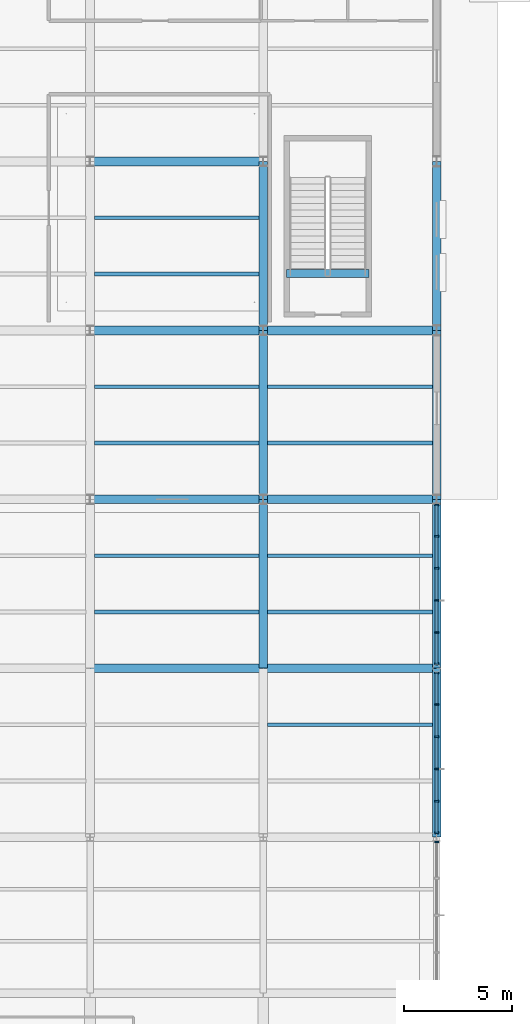
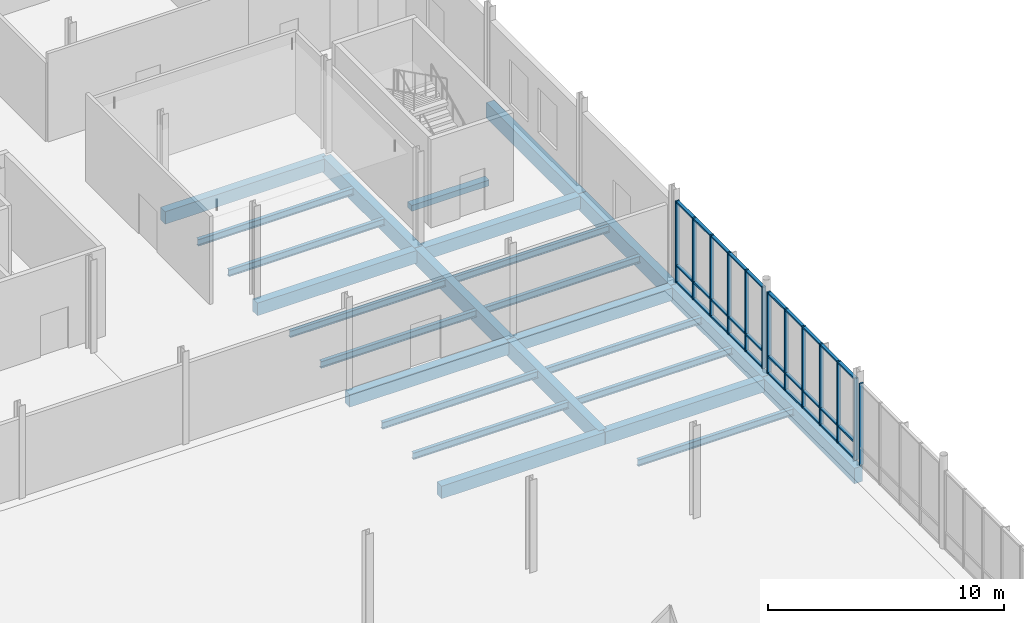
# One storey, part 27 of 82: 43 members, 26 beams, 3 elements without a shape of their own.
"""IFC4 building model written with IfcOpenShell, lengths in metres."""

from ifc_helpers import new_model, si_unit, direction, frame, origin, origin_2d, place, context, subcontext, project, spatial, rectangle, i_section, extrude, material, layer, layer_set, material_profile, profile_set, type_object, element, aggregate, save


model = new_model("IFC4")

# Units and contexts
model_context = context("Model", 3, precision=1e-05, world=origin(), true_north=direction((0.0, 1.0)))
body_context = subcontext(model_context, "Body", "Model", "MODEL_VIEW")
ifc_project = project(units=[si_unit("LENGTHUNIT", "METRE"), si_unit("AREAUNIT", "SQUARE_METRE"), si_unit("VOLUMEUNIT", "CUBIC_METRE"), si_unit("PLANEANGLEUNIT", "RADIAN"), si_unit("MASSUNIT", "GRAM", prefix="KILO")], contexts=[model_context])

# Site, building, storey
site_placement = place(None, origin())
site = spatial("IfcSite", under=ifc_project, at=site_placement, CompositionType="ELEMENT")
building_placement = place(site_placement, origin())
building = spatial("IfcBuilding", under=site, at=building_placement, Name="Yukiwa Park Conservatory and Herbarium", CompositionType="ELEMENT")
storey_placement = place(building_placement, origin())
storey = spatial("IfcBuildingStorey", under=building, at=storey_placement, Name="L00", CompositionType="ELEMENT", Elevation=0.0)

# Beams
ifc_material_1 = material(Name="Steel Q355D", Category="steel")
ifc_material_profile_1 = material_profile(ifc_material_1, i_section(OverallWidth=0.174072265625, OverallDepth=0.345947265625, WebThickness=0.006103515625, FlangeThickness=0.009033203125, FilletRadius=0.013916015625, at=origin_2d()), Name="HN 346x174x6x9")
ifc_profile_set_1 = profile_set([ifc_material_profile_1], Name="Steel Q355D")
beam_type_1 = type_object("IfcBeamType", Name="BM-JST-HN346", PredefinedType="JOIST", material=ifc_profile_set_1)
for number, where, z_axis, x_axis, name in (
    (1, (92.196044921875, 41.60009765625, -0.43310546875), (1.0, 0.0, 0.0), (0.0, 1.0, 0.0), "L00 composite floor joist 157"),
    (2, (92.196044921875, 44.199951171875, -0.43310546875), (1.0, 0.0, 0.0), (0.0, 1.0, 0.0), "L00 composite floor joist 158"),
    (3, (92.196044921875, 49.39990234375, -0.43310546875), (1.0, 0.0, 0.0), (0.0, 1.0, 0.0), "L00 composite floor joist 159"),
    (4, (92.196044921875, 52.0, -0.43310546875), (1.0, 0.0, 0.0), (0.0, 1.0, 0.0), "L00 composite floor joist 160"),
    (5, (92.196044921875, 57.199951171875, -0.43310546875), (1.0, 0.0, 0.0), (0.0, 1.0, 0.0), "L00 composite floor joist 161"),
    (6, (92.196044921875, 59.800048828125, -0.43310546875), (1.0, 0.0, 0.0), (0.0, 1.0, 0.0), "L00 composite floor joist 162"),
    (7, (100.196044921875, 36.39990234375, -0.43310546875), (1.0, 0.0, 0.0), (0.0, 1.0, 0.0), "L00 composite floor joist 172"),
    (8, (100.196044921875, 41.60009765625, -0.43310546875), (1.0, 0.0, 0.0), (0.0, 1.0, 0.0), "L00 composite floor joist 173"),
    (9, (100.196044921875, 44.199951171875, -0.43310546875), (1.0, 0.0, 0.0), (0.0, 1.0, 0.0), "L00 composite floor joist 174"),
    (10, (100.196044921875, 49.39990234375, -0.43310546875), (1.0, 0.0, 0.0), (0.0, 1.0, 0.0), "L00 composite floor joist 175"),
    (11, (100.196044921875, 52.0, -0.43310546875), (1.0, 0.0, 0.0), (0.0, 1.0, 0.0), "L00 composite floor joist 176"),
):
    element("IfcBeam", number, at=place(storey_placement, frame(where, z_axis=z_axis, x_axis=x_axis)), inside=storey, type_object=beam_type_1, Name=name, PredefinedType="JOIST", context=body_context, shape_type="SweptSolid", body=[
        extrude(i_section(OverallWidth=0.174072265625, OverallDepth=0.345947265625, WebThickness=0.006103515625, FlangeThickness=0.009033203125, FilletRadius=0.013916015625, at=origin_2d()), origin(), (0.0, 0.0, 1.0), 7.60791015625),
    ])
ifc_material_2 = material(Name="Concrete C40", Category="concrete")
ifc_material_profile_2 = material_profile(ifc_material_2, rectangle(XDim=0.39990234375, YDim=0.64990234375, at=origin_2d()), Name="RC 400x650")
ifc_profile_set_2 = profile_set([ifc_material_profile_2], Name="Concrete C40")
beam_type_2 = type_object("IfcBeamType", Name="BM-RC-400X650", PredefinedType="BEAM", material=ifc_profile_set_2)
for number, where, z_axis, x_axis, name in (
    (12, (92.006103515625, 39.0, -0.5849609375), (1.0, 0.0, 0.0), (0.0, 1.0, 0.0), "L00 grid beam X-62"),
    (13, (100.006103515625, 39.0, -0.5849609375), (1.0, 0.0, 0.0), (0.0, 1.0, 0.0), "L00 grid beam X-63"),
    (14, (92.006103515625, 46.800048828125, -0.5849609375), (1.0, 0.0, 0.0), (0.0, 1.0, 0.0), "L00 grid beam X-68"),
    (15, (100.006103515625, 46.800048828125, -0.5849609375), (1.0, 0.0, 0.0), (0.0, 1.0, 0.0), "L00 grid beam X-69"),
    (16, (92.006103515625, 54.60009765625, -0.5849609375), (1.0, 0.0, 0.0), (0.0, 1.0, 0.0), "L00 grid beam X-74"),
    (17, (100.006103515625, 54.60009765625, -0.5849609375), (1.0, 0.0, 0.0), (0.0, 1.0, 0.0), "L00 grid beam X-75"),
    (18, (92.006103515625, 62.39990234375, -0.5849609375), (1.0, 0.0, 0.0), (0.0, 1.0, 0.0), "L00 grid beam X-79"),
):
    element("IfcBeam", number, at=place(storey_placement, frame(where, z_axis=z_axis, x_axis=x_axis)), inside=storey, type_object=beam_type_2, Name=name, PredefinedType="BEAM", context=body_context, shape_type="SweptSolid", body=[
        extrude(rectangle(XDim=0.39990234375, YDim=0.64990234375, at=origin_2d()), origin(), (0.0, 0.0, 1.0), 7.98779296875),
    ])
ifc_material_3 = material(Name="Concrete C40", Category="concrete")
ifc_material_profile_3 = material_profile(ifc_material_3, rectangle(XDim=0.39990234375, YDim=0.800048828125, at=origin_2d()), Name="RC 400x800")
ifc_profile_set_3 = profile_set([ifc_material_profile_3], Name="Concrete C40")
beam_type_3 = type_object("IfcBeamType", Name="BM-RC-400X800", PredefinedType="BEAM", material=ifc_profile_set_3)
beam_1_placement = place(storey_placement, frame((100.0, 39.006103515625, -0.659912109375), z_axis=(0.0, 1.0, 0.0), x_axis=(-1.0, 0.0, 0.0)))
element("IfcBeam", 19, at=beam_1_placement, inside=storey, type_object=beam_type_3, Name="L00 grid girder Y-258", PredefinedType="BEAM", context=body_context, shape_type="SweptSolid", body=[
    extrude(rectangle(XDim=0.39990234375, YDim=0.800048828125, at=origin_2d()), origin(), (0.0, 0.0, 1.0), 7.787841796875),
])
for number, where, z_axis, x_axis, name in (
    (20, (100.0, 46.805908203125, -0.659912109375), (0.0, 1.0, 0.0), (-1.0, 0.0, 0.0), "L00 grid girder Y-259"),
    (21, (100.0, 54.60595703125, -0.659912109375), (0.0, 1.0, 0.0), (-1.0, 0.0, 0.0), "L00 grid girder Y-260"),
):
    element("IfcBeam", number, at=place(storey_placement, frame(where, z_axis=z_axis, x_axis=x_axis)), inside=storey, type_object=beam_type_3, Name=name, PredefinedType="BEAM", context=body_context, shape_type="SweptSolid", body=[
        extrude(rectangle(XDim=0.39990234375, YDim=0.800048828125, at=origin_2d()), origin(), (0.0, 0.0, 1.0), 7.7880859375),
    ])
for number, where, z_axis, x_axis, name in (
    (22, (108.0, 31.2060546875, -0.659912109375), (0.0, 1.0, 0.0), (-1.0, 0.0, 0.0), "L00 grid girder Y-265"),
    (23, (108.0, 39.006103515625, -0.659912109375), (0.0, 1.0, 0.0), (-1.0, 0.0, 0.0), "L00 grid girder Y-266"),
):
    element("IfcBeam", number, at=place(storey_placement, frame(where, z_axis=z_axis, x_axis=x_axis)), inside=storey, type_object=beam_type_3, Name=name, PredefinedType="BEAM", context=body_context, shape_type="SweptSolid", body=[
        extrude(rectangle(XDim=0.39990234375, YDim=0.800048828125, at=origin_2d()), origin(), (0.0, 0.0, 1.0), 7.787841796875),
    ])
for number, where, z_axis, x_axis, name in (
    (24, (108.0, 46.805908203125, -0.659912109375), (0.0, 1.0, 0.0), (-1.0, 0.0, 0.0), "L00 grid girder Y-267"),
    (25, (108.0, 54.60595703125, -0.659912109375), (0.0, 1.0, 0.0), (-1.0, 0.0, 0.0), "L00 grid girder Y-268"),
):
    element("IfcBeam", number, at=place(storey_placement, frame(where, z_axis=z_axis, x_axis=x_axis)), inside=storey, type_object=beam_type_3, Name=name, PredefinedType="BEAM", context=body_context, shape_type="SweptSolid", body=[
        extrude(rectangle(XDim=0.39990234375, YDim=0.800048828125, at=origin_2d()), origin(), (0.0, 0.0, 1.0), 7.7880859375),
    ])
ifc_material_4 = material(Name="Concrete C40", Category="concrete")
ifc_material_profile_4 = material_profile(ifc_material_4, rectangle(XDim=0.35009765625, YDim=0.300048828125, at=origin_2d()), Name="RC 350x300")
ifc_profile_set_4 = profile_set([ifc_material_profile_4], Name="Concrete C40")
beam_type_4 = type_object("IfcBeamType", Name="BM-STAIR-TRIM", PredefinedType="BEAM", material=ifc_profile_set_4)
beam_2_placement = place(storey_placement, frame((101.080078125, 57.22998046875, -0.14990234375), z_axis=(1.0, 0.0, 0.0), x_axis=(0.0, 1.0, 0.0)))
element("IfcBeam", 26, at=beam_2_placement, inside=storey, type_object=beam_type_4, Name="Stair ST-V2 L00 landing trimmer beam", PredefinedType="BEAM", context=body_context, shape_type="SweptSolid", body=[
    extrude(rectangle(XDim=0.35009765625, YDim=0.300048828125, at=origin_2d()), origin(), (0.0, 0.0, 1.0), 3.7900390625),
])

# Curtain wall, member
ifc_material_5 = material(Name="Triple Low-E Insulated Glass", Category="glass")
ifc_layer = layer(ifc_material_5, 0.176025390625)
ifc_layer_set = layer_set([ifc_layer], Name="Triple Low-E Insulated Glass")
curtain_wall_type = type_object("IfcCurtainWallType", Name="CW-CONCOURSE-1600", PredefinedType="NOTDEFINED", material=ifc_layer_set)
curtain_wall_1_placement = place(storey_placement, origin())
curtain_wall_1 = element("IfcCurtainWall", 27, at=curtain_wall_1_placement, inside=storey, type_object=curtain_wall_type, Name="L00 unitised curtain wall CW-L00-012", PredefinedType="NOTDEFINED")
ifc_material_6 = material(Name="Anodised Aluminium", Category="aluminium")
member_type_1 = type_object("IfcMemberType", Name="MB-CW-MUL-80X180", PredefinedType="MULLION", material=ifc_material_6)
member_1_placement = place(storey_placement, frame((108.0, 30.985107421875, 0.0), z_axis=(0.0, 0.0, 1.0), x_axis=(0.0, 1.0, 0.0)))
member_1 = element("IfcMember", 28, at=member_1_placement, type_object=member_type_1, Name="CW-L00-012 mullion 5", PredefinedType="MULLION", context=body_context, shape_type="SweptSolid", body=[
    extrude(rectangle(XDim=0.080078125, YDim=0.179931640625, at=origin_2d()), origin(), (0.0, 0.0, 1.0), 4.219970703125),
])
aggregate(curtain_wall_1, [member_1])

# Curtain wall, members
curtain_wall_2_placement = place(storey_placement, origin())
curtain_wall_2 = element("IfcCurtainWall", 29, at=curtain_wall_2_placement, inside=storey, type_object=curtain_wall_type, Name="L00 unitised curtain wall CW-L00-013", PredefinedType="NOTDEFINED")
member_2_placement = place(storey_placement, frame((108.0, 31.4150390625, 0.0), z_axis=(0.0, 0.0, 1.0), x_axis=(0.0, 1.0, 0.0)))
member_2 = element("IfcMember", 30, at=member_2_placement, type_object=member_type_1, Name="CW-L00-013 mullion 1", PredefinedType="MULLION", context=body_context, shape_type="SweptSolid", body=[
    extrude(rectangle(XDim=0.080078125, YDim=0.179931640625, at=origin_2d()), origin(), (0.0, 0.0, 1.0), 4.219970703125),
])
member_3_placement = place(storey_placement, frame((108.0, 32.864501953125, 0.0), z_axis=(0.0, 0.0, 1.0), x_axis=(0.0, 1.0, 0.0)))
member_3 = element("IfcMember", 31, at=member_3_placement, type_object=member_type_1, Name="CW-L00-013 mullion 2", PredefinedType="MULLION", context=body_context, shape_type="SweptSolid", body=[
    extrude(rectangle(XDim=0.080078125, YDim=0.179931640625, at=origin_2d()), origin(), (0.0, 0.0, 1.0), 4.219970703125),
])
member_4_placement = place(storey_placement, frame((108.0, 34.35400390625, 0.0), z_axis=(0.0, 0.0, 1.0), x_axis=(0.0, 1.0, 0.0)))
member_4 = element("IfcMember", 32, at=member_4_placement, type_object=member_type_1, Name="CW-L00-013 mullion 3", PredefinedType="MULLION", context=body_context, shape_type="SweptSolid", body=[
    extrude(rectangle(XDim=0.080078125, YDim=0.179931640625, at=origin_2d()), origin(), (0.0, 0.0, 1.0), 4.219970703125),
])
member_5_placement = place(storey_placement, frame((108.0, 35.84326171875, 0.0), z_axis=(0.0, 0.0, 1.0), x_axis=(0.0, 1.0, 0.0)))
member_5 = element("IfcMember", 33, at=member_5_placement, type_object=member_type_1, Name="CW-L00-013 mullion 4", PredefinedType="MULLION", context=body_context, shape_type="SweptSolid", body=[
    extrude(rectangle(XDim=0.080078125, YDim=0.179931640625, at=origin_2d()), origin(), (0.0, 0.0, 1.0), 4.219970703125),
])
member_6_placement = place(storey_placement, frame((108.0, 37.332763671875, 0.0), z_axis=(0.0, 0.0, 1.0), x_axis=(0.0, 1.0, 0.0)))
member_6 = element("IfcMember", 34, at=member_6_placement, type_object=member_type_1, Name="CW-L00-013 mullion 5", PredefinedType="MULLION", context=body_context, shape_type="SweptSolid", body=[
    extrude(rectangle(XDim=0.080078125, YDim=0.179931640625, at=origin_2d()), origin(), (0.0, 0.0, 1.0), 4.219970703125),
])
member_7_placement = place(storey_placement, frame((108.0, 38.7822265625, 0.0), z_axis=(0.0, 0.0, 1.0), x_axis=(0.0, 1.0, 0.0)))
member_7 = element("IfcMember", 35, at=member_7_placement, type_object=member_type_1, Name="CW-L00-013 mullion 6", PredefinedType="MULLION", context=body_context, shape_type="SweptSolid", body=[
    extrude(rectangle(XDim=0.080078125, YDim=0.179931640625, at=origin_2d()), origin(), (0.0, 0.0, 1.0), 4.219970703125),
])

curtain_wall_3_placement = place(storey_placement, origin())
curtain_wall_3 = element("IfcCurtainWall", 36, at=curtain_wall_3_placement, inside=storey, type_object=curtain_wall_type, Name="L00 unitised curtain wall CW-L00-014", PredefinedType="NOTDEFINED")
member_8_placement = place(storey_placement, frame((108.0, 39.2177734375, 0.0), z_axis=(0.0, 0.0, 1.0), x_axis=(0.0, 1.0, 0.0)))
member_8 = element("IfcMember", 37, at=member_8_placement, type_object=member_type_1, Name="CW-L00-014 mullion 1", PredefinedType="MULLION", context=body_context, shape_type="SweptSolid", body=[
    extrude(rectangle(XDim=0.080078125, YDim=0.179931640625, at=origin_2d()), origin(), (0.0, 0.0, 1.0), 4.219970703125),
])
member_9_placement = place(storey_placement, frame((108.0, 40.658203125, 0.0), z_axis=(0.0, 0.0, 1.0), x_axis=(0.0, 1.0, 0.0)))
member_9 = element("IfcMember", 38, at=member_9_placement, type_object=member_type_1, Name="CW-L00-014 mullion 2", PredefinedType="MULLION", context=body_context, shape_type="SweptSolid", body=[
    extrude(rectangle(XDim=0.080078125, YDim=0.179931640625, at=origin_2d()), origin(), (0.0, 0.0, 1.0), 4.219970703125),
])
member_10_placement = place(storey_placement, frame((108.0, 42.138671875, 0.0), z_axis=(0.0, 0.0, 1.0), x_axis=(0.0, 1.0, 0.0)))
member_10 = element("IfcMember", 39, at=member_10_placement, type_object=member_type_1, Name="CW-L00-014 mullion 3", PredefinedType="MULLION", context=body_context, shape_type="SweptSolid", body=[
    extrude(rectangle(XDim=0.080078125, YDim=0.179931640625, at=origin_2d()), origin(), (0.0, 0.0, 1.0), 4.219970703125),
])
member_11_placement = place(storey_placement, frame((108.0, 43.619140625, 0.0), z_axis=(0.0, 0.0, 1.0), x_axis=(0.0, 1.0, 0.0)))
member_11 = element("IfcMember", 40, at=member_11_placement, type_object=member_type_1, Name="CW-L00-014 mullion 4", PredefinedType="MULLION", context=body_context, shape_type="SweptSolid", body=[
    extrude(rectangle(XDim=0.080078125, YDim=0.179931640625, at=origin_2d()), origin(), (0.0, 0.0, 1.0), 4.219970703125),
])
member_12_placement = place(storey_placement, frame((108.0, 45.099609375, 0.0), z_axis=(0.0, 0.0, 1.0), x_axis=(0.0, 1.0, 0.0)))
member_12 = element("IfcMember", 41, at=member_12_placement, type_object=member_type_1, Name="CW-L00-014 mullion 5", PredefinedType="MULLION", context=body_context, shape_type="SweptSolid", body=[
    extrude(rectangle(XDim=0.080078125, YDim=0.179931640625, at=origin_2d()), origin(), (0.0, 0.0, 1.0), 4.219970703125),
])
member_13_placement = place(storey_placement, frame((108.0, 46.5400390625, 0.0), z_axis=(0.0, 0.0, 1.0), x_axis=(0.0, 1.0, 0.0)))
member_13 = element("IfcMember", 42, at=member_13_placement, type_object=member_type_1, Name="CW-L00-014 mullion 6", PredefinedType="MULLION", context=body_context, shape_type="SweptSolid", body=[
    extrude(rectangle(XDim=0.080078125, YDim=0.179931640625, at=origin_2d()), origin(), (0.0, 0.0, 1.0), 4.219970703125),
])

# Member
ifc_material_7 = material(Name="Anodised Aluminium", Category="aluminium")
member_type_2 = type_object("IfcMemberType", Name="MB-CW-TRN-80X150", PredefinedType="USERDEFINED", material=ifc_material_7)
member_14_placement = place(storey_placement, frame((108.0, 32.11962890625, 0.0), z_axis=(0.0, 0.0, 1.0), x_axis=(0.0, 1.0, 0.0)))
member_14 = element("IfcMember", 43, at=member_14_placement, type_object=member_type_2, Name="CW-L00-013 transom 1.1", ObjectType="TRANSOM", PredefinedType="USERDEFINED", context=body_context, shape_type="SweptSolid", body=[
    extrude(rectangle(XDim=1.409423828125, YDim=0.14990234375, at=origin_2d()), origin(), (0.0, 0.0, 1.0), 0.080078125),
])

member_15_placement = place(storey_placement, frame((108.0, 32.11962890625, 0.85986328125), z_axis=(0.0, 0.0, 1.0), x_axis=(0.0, 1.0, 0.0)))
member_15 = element("IfcMember", 44, at=member_15_placement, type_object=member_type_2, Name="CW-L00-013 transom 1.2", ObjectType="TRANSOM", PredefinedType="USERDEFINED", context=body_context, shape_type="SweptSolid", body=[
    extrude(rectangle(XDim=1.409423828125, YDim=0.14990234375, at=origin_2d()), origin(), (0.0, 0.0, 1.0), 0.080078125),
])

member_16_placement = place(storey_placement, frame((108.0, 32.11962890625, 4.139892578125), z_axis=(0.0, 0.0, 1.0), x_axis=(0.0, 1.0, 0.0)))
member_16 = element("IfcMember", 45, at=member_16_placement, type_object=member_type_2, Name="CW-L00-013 transom 1.3", ObjectType="TRANSOM", PredefinedType="USERDEFINED", context=body_context, shape_type="SweptSolid", body=[
    extrude(rectangle(XDim=1.409423828125, YDim=0.14990234375, at=origin_2d()), origin(), (0.0, 0.0, 1.0), 0.080078125),
])

member_17_placement = place(storey_placement, frame((108.0, 33.609130859375, 0.0), z_axis=(0.0, 0.0, 1.0), x_axis=(0.0, 1.0, 0.0)))
member_17 = element("IfcMember", 46, at=member_17_placement, type_object=member_type_2, Name="CW-L00-013 transom 2.1", ObjectType="TRANSOM", PredefinedType="USERDEFINED", context=body_context, shape_type="SweptSolid", body=[
    extrude(rectangle(XDim=1.409423828125, YDim=0.14990234375, at=origin_2d()), origin(), (0.0, 0.0, 1.0), 0.080078125),
])

member_18_placement = place(storey_placement, frame((108.0, 33.609130859375, 0.85986328125), z_axis=(0.0, 0.0, 1.0), x_axis=(0.0, 1.0, 0.0)))
member_18 = element("IfcMember", 47, at=member_18_placement, type_object=member_type_2, Name="CW-L00-013 transom 2.2", ObjectType="TRANSOM", PredefinedType="USERDEFINED", context=body_context, shape_type="SweptSolid", body=[
    extrude(rectangle(XDim=1.409423828125, YDim=0.14990234375, at=origin_2d()), origin(), (0.0, 0.0, 1.0), 0.080078125),
])

member_19_placement = place(storey_placement, frame((108.0, 33.609130859375, 4.139892578125), z_axis=(0.0, 0.0, 1.0), x_axis=(0.0, 1.0, 0.0)))
member_19 = element("IfcMember", 48, at=member_19_placement, type_object=member_type_2, Name="CW-L00-013 transom 2.3", ObjectType="TRANSOM", PredefinedType="USERDEFINED", context=body_context, shape_type="SweptSolid", body=[
    extrude(rectangle(XDim=1.409423828125, YDim=0.14990234375, at=origin_2d()), origin(), (0.0, 0.0, 1.0), 0.080078125),
])

member_20_placement = place(storey_placement, frame((108.0, 35.0986328125, 0.0), z_axis=(0.0, 0.0, 1.0), x_axis=(0.0, 1.0, 0.0)))
member_20 = element("IfcMember", 49, at=member_20_placement, type_object=member_type_2, Name="CW-L00-013 transom 3.1", ObjectType="TRANSOM", PredefinedType="USERDEFINED", context=body_context, shape_type="SweptSolid", body=[
    extrude(rectangle(XDim=1.409423828125, YDim=0.14990234375, at=origin_2d()), origin(), (0.0, 0.0, 1.0), 0.080078125),
])

member_21_placement = place(storey_placement, frame((108.0, 35.0986328125, 0.85986328125), z_axis=(0.0, 0.0, 1.0), x_axis=(0.0, 1.0, 0.0)))
member_21 = element("IfcMember", 50, at=member_21_placement, type_object=member_type_2, Name="CW-L00-013 transom 3.2", ObjectType="TRANSOM", PredefinedType="USERDEFINED", context=body_context, shape_type="SweptSolid", body=[
    extrude(rectangle(XDim=1.409423828125, YDim=0.14990234375, at=origin_2d()), origin(), (0.0, 0.0, 1.0), 0.080078125),
])

member_22_placement = place(storey_placement, frame((108.0, 35.0986328125, 4.139892578125), z_axis=(0.0, 0.0, 1.0), x_axis=(0.0, 1.0, 0.0)))
member_22 = element("IfcMember", 51, at=member_22_placement, type_object=member_type_2, Name="CW-L00-013 transom 3.3", ObjectType="TRANSOM", PredefinedType="USERDEFINED", context=body_context, shape_type="SweptSolid", body=[
    extrude(rectangle(XDim=1.409423828125, YDim=0.14990234375, at=origin_2d()), origin(), (0.0, 0.0, 1.0), 0.080078125),
])

member_23_placement = place(storey_placement, frame((108.0, 36.587890625, 0.0), z_axis=(0.0, 0.0, 1.0), x_axis=(0.0, 1.0, 0.0)))
member_23 = element("IfcMember", 52, at=member_23_placement, type_object=member_type_2, Name="CW-L00-013 transom 4.1", ObjectType="TRANSOM", PredefinedType="USERDEFINED", context=body_context, shape_type="SweptSolid", body=[
    extrude(rectangle(XDim=1.409423828125, YDim=0.14990234375, at=origin_2d()), origin(), (0.0, 0.0, 1.0), 0.080078125),
])

member_24_placement = place(storey_placement, frame((108.0, 36.587890625, 0.85986328125), z_axis=(0.0, 0.0, 1.0), x_axis=(0.0, 1.0, 0.0)))
member_24 = element("IfcMember", 53, at=member_24_placement, type_object=member_type_2, Name="CW-L00-013 transom 4.2", ObjectType="TRANSOM", PredefinedType="USERDEFINED", context=body_context, shape_type="SweptSolid", body=[
    extrude(rectangle(XDim=1.409423828125, YDim=0.14990234375, at=origin_2d()), origin(), (0.0, 0.0, 1.0), 0.080078125),
])

member_25_placement = place(storey_placement, frame((108.0, 36.587890625, 4.139892578125), z_axis=(0.0, 0.0, 1.0), x_axis=(0.0, 1.0, 0.0)))
member_25 = element("IfcMember", 54, at=member_25_placement, type_object=member_type_2, Name="CW-L00-013 transom 4.3", ObjectType="TRANSOM", PredefinedType="USERDEFINED", context=body_context, shape_type="SweptSolid", body=[
    extrude(rectangle(XDim=1.409423828125, YDim=0.14990234375, at=origin_2d()), origin(), (0.0, 0.0, 1.0), 0.080078125),
])

member_26_placement = place(storey_placement, frame((108.0, 38.077392578125, 0.0), z_axis=(0.0, 0.0, 1.0), x_axis=(0.0, 1.0, 0.0)))
member_26 = element("IfcMember", 55, at=member_26_placement, type_object=member_type_2, Name="CW-L00-013 transom 5.1", ObjectType="TRANSOM", PredefinedType="USERDEFINED", context=body_context, shape_type="SweptSolid", body=[
    extrude(rectangle(XDim=1.409423828125, YDim=0.14990234375, at=origin_2d()), origin(), (0.0, 0.0, 1.0), 0.080078125),
])

member_27_placement = place(storey_placement, frame((108.0, 38.077392578125, 0.85986328125), z_axis=(0.0, 0.0, 1.0), x_axis=(0.0, 1.0, 0.0)))
member_27 = element("IfcMember", 56, at=member_27_placement, type_object=member_type_2, Name="CW-L00-013 transom 5.2", ObjectType="TRANSOM", PredefinedType="USERDEFINED", context=body_context, shape_type="SweptSolid", body=[
    extrude(rectangle(XDim=1.409423828125, YDim=0.14990234375, at=origin_2d()), origin(), (0.0, 0.0, 1.0), 0.080078125),
])

member_28_placement = place(storey_placement, frame((108.0, 38.077392578125, 4.139892578125), z_axis=(0.0, 0.0, 1.0), x_axis=(0.0, 1.0, 0.0)))
member_28 = element("IfcMember", 57, at=member_28_placement, type_object=member_type_2, Name="CW-L00-013 transom 5.3", ObjectType="TRANSOM", PredefinedType="USERDEFINED", context=body_context, shape_type="SweptSolid", body=[
    extrude(rectangle(XDim=1.409423828125, YDim=0.14990234375, at=origin_2d()), origin(), (0.0, 0.0, 1.0), 0.080078125),
])

aggregate(curtain_wall_2, [member_2, member_3, member_4, member_5, member_6, member_7, member_14, member_15, member_16, member_17, member_18, member_19, member_20, member_21, member_22, member_23, member_24, member_25, member_26, member_27, member_28])

member_29_placement = place(storey_placement, frame((108.0, 39.91796875, 0.0), z_axis=(0.0, 0.0, 1.0), x_axis=(0.0, 1.0, 0.0)))
member_29 = element("IfcMember", 58, at=member_29_placement, type_object=member_type_2, Name="CW-L00-014 transom 1.1", ObjectType="TRANSOM", PredefinedType="USERDEFINED", context=body_context, shape_type="SweptSolid", body=[
    extrude(rectangle(XDim=1.400390625, YDim=0.14990234375, at=origin_2d()), origin(), (0.0, 0.0, 1.0), 0.080078125),
])

member_30_placement = place(storey_placement, frame((108.0, 39.91796875, 0.85986328125), z_axis=(0.0, 0.0, 1.0), x_axis=(0.0, 1.0, 0.0)))
member_30 = element("IfcMember", 59, at=member_30_placement, type_object=member_type_2, Name="CW-L00-014 transom 1.2", ObjectType="TRANSOM", PredefinedType="USERDEFINED", context=body_context, shape_type="SweptSolid", body=[
    extrude(rectangle(XDim=1.400390625, YDim=0.14990234375, at=origin_2d()), origin(), (0.0, 0.0, 1.0), 0.080078125),
])

member_31_placement = place(storey_placement, frame((108.0, 39.91796875, 4.139892578125), z_axis=(0.0, 0.0, 1.0), x_axis=(0.0, 1.0, 0.0)))
member_31 = element("IfcMember", 60, at=member_31_placement, type_object=member_type_2, Name="CW-L00-014 transom 1.3", ObjectType="TRANSOM", PredefinedType="USERDEFINED", context=body_context, shape_type="SweptSolid", body=[
    extrude(rectangle(XDim=1.400390625, YDim=0.14990234375, at=origin_2d()), origin(), (0.0, 0.0, 1.0), 0.080078125),
])

member_32_placement = place(storey_placement, frame((108.0, 41.3984375, 0.0), z_axis=(0.0, 0.0, 1.0), x_axis=(0.0, 1.0, 0.0)))
member_32 = element("IfcMember", 61, at=member_32_placement, type_object=member_type_2, Name="CW-L00-014 transom 2.1", ObjectType="TRANSOM", PredefinedType="USERDEFINED", context=body_context, shape_type="SweptSolid", body=[
    extrude(rectangle(XDim=1.400390625, YDim=0.14990234375, at=origin_2d()), origin(), (0.0, 0.0, 1.0), 0.080078125),
])

member_33_placement = place(storey_placement, frame((108.0, 41.3984375, 0.85986328125), z_axis=(0.0, 0.0, 1.0), x_axis=(0.0, 1.0, 0.0)))
member_33 = element("IfcMember", 62, at=member_33_placement, type_object=member_type_2, Name="CW-L00-014 transom 2.2", ObjectType="TRANSOM", PredefinedType="USERDEFINED", context=body_context, shape_type="SweptSolid", body=[
    extrude(rectangle(XDim=1.400390625, YDim=0.14990234375, at=origin_2d()), origin(), (0.0, 0.0, 1.0), 0.080078125),
])

member_34_placement = place(storey_placement, frame((108.0, 41.3984375, 4.139892578125), z_axis=(0.0, 0.0, 1.0), x_axis=(0.0, 1.0, 0.0)))
member_34 = element("IfcMember", 63, at=member_34_placement, type_object=member_type_2, Name="CW-L00-014 transom 2.3", ObjectType="TRANSOM", PredefinedType="USERDEFINED", context=body_context, shape_type="SweptSolid", body=[
    extrude(rectangle(XDim=1.400390625, YDim=0.14990234375, at=origin_2d()), origin(), (0.0, 0.0, 1.0), 0.080078125),
])

member_35_placement = place(storey_placement, frame((108.0, 42.87890625, 0.0), z_axis=(0.0, 0.0, 1.0), x_axis=(0.0, 1.0, 0.0)))
member_35 = element("IfcMember", 64, at=member_35_placement, type_object=member_type_2, Name="CW-L00-014 transom 3.1", ObjectType="TRANSOM", PredefinedType="USERDEFINED", context=body_context, shape_type="SweptSolid", body=[
    extrude(rectangle(XDim=1.400390625, YDim=0.14990234375, at=origin_2d()), origin(), (0.0, 0.0, 1.0), 0.080078125),
])

member_36_placement = place(storey_placement, frame((108.0, 42.87890625, 0.85986328125), z_axis=(0.0, 0.0, 1.0), x_axis=(0.0, 1.0, 0.0)))
member_36 = element("IfcMember", 65, at=member_36_placement, type_object=member_type_2, Name="CW-L00-014 transom 3.2", ObjectType="TRANSOM", PredefinedType="USERDEFINED", context=body_context, shape_type="SweptSolid", body=[
    extrude(rectangle(XDim=1.400390625, YDim=0.14990234375, at=origin_2d()), origin(), (0.0, 0.0, 1.0), 0.080078125),
])

member_37_placement = place(storey_placement, frame((108.0, 42.87890625, 4.139892578125), z_axis=(0.0, 0.0, 1.0), x_axis=(0.0, 1.0, 0.0)))
member_37 = element("IfcMember", 66, at=member_37_placement, type_object=member_type_2, Name="CW-L00-014 transom 3.3", ObjectType="TRANSOM", PredefinedType="USERDEFINED", context=body_context, shape_type="SweptSolid", body=[
    extrude(rectangle(XDim=1.400390625, YDim=0.14990234375, at=origin_2d()), origin(), (0.0, 0.0, 1.0), 0.080078125),
])

member_38_placement = place(storey_placement, frame((108.0, 44.359375, 0.0), z_axis=(0.0, 0.0, 1.0), x_axis=(0.0, 1.0, 0.0)))
member_38 = element("IfcMember", 67, at=member_38_placement, type_object=member_type_2, Name="CW-L00-014 transom 4.1", ObjectType="TRANSOM", PredefinedType="USERDEFINED", context=body_context, shape_type="SweptSolid", body=[
    extrude(rectangle(XDim=1.400390625, YDim=0.14990234375, at=origin_2d()), origin(), (0.0, 0.0, 1.0), 0.080078125),
])

member_39_placement = place(storey_placement, frame((108.0, 44.359375, 0.85986328125), z_axis=(0.0, 0.0, 1.0), x_axis=(0.0, 1.0, 0.0)))
member_39 = element("IfcMember", 68, at=member_39_placement, type_object=member_type_2, Name="CW-L00-014 transom 4.2", ObjectType="TRANSOM", PredefinedType="USERDEFINED", context=body_context, shape_type="SweptSolid", body=[
    extrude(rectangle(XDim=1.400390625, YDim=0.14990234375, at=origin_2d()), origin(), (0.0, 0.0, 1.0), 0.080078125),
])

member_40_placement = place(storey_placement, frame((108.0, 44.359375, 4.139892578125), z_axis=(0.0, 0.0, 1.0), x_axis=(0.0, 1.0, 0.0)))
member_40 = element("IfcMember", 69, at=member_40_placement, type_object=member_type_2, Name="CW-L00-014 transom 4.3", ObjectType="TRANSOM", PredefinedType="USERDEFINED", context=body_context, shape_type="SweptSolid", body=[
    extrude(rectangle(XDim=1.400390625, YDim=0.14990234375, at=origin_2d()), origin(), (0.0, 0.0, 1.0), 0.080078125),
])

member_41_placement = place(storey_placement, frame((108.0, 45.83984375, 0.0), z_axis=(0.0, 0.0, 1.0), x_axis=(0.0, 1.0, 0.0)))
member_41 = element("IfcMember", 70, at=member_41_placement, type_object=member_type_2, Name="CW-L00-014 transom 5.1", ObjectType="TRANSOM", PredefinedType="USERDEFINED", context=body_context, shape_type="SweptSolid", body=[
    extrude(rectangle(XDim=1.400390625, YDim=0.14990234375, at=origin_2d()), origin(), (0.0, 0.0, 1.0), 0.080078125),
])

member_42_placement = place(storey_placement, frame((108.0, 45.83984375, 0.85986328125), z_axis=(0.0, 0.0, 1.0), x_axis=(0.0, 1.0, 0.0)))
member_42 = element("IfcMember", 71, at=member_42_placement, type_object=member_type_2, Name="CW-L00-014 transom 5.2", ObjectType="TRANSOM", PredefinedType="USERDEFINED", context=body_context, shape_type="SweptSolid", body=[
    extrude(rectangle(XDim=1.400390625, YDim=0.14990234375, at=origin_2d()), origin(), (0.0, 0.0, 1.0), 0.080078125),
])

member_43_placement = place(storey_placement, frame((108.0, 45.83984375, 4.139892578125), z_axis=(0.0, 0.0, 1.0), x_axis=(0.0, 1.0, 0.0)))
member_43 = element("IfcMember", 72, at=member_43_placement, type_object=member_type_2, Name="CW-L00-014 transom 5.3", ObjectType="TRANSOM", PredefinedType="USERDEFINED", context=body_context, shape_type="SweptSolid", body=[
    extrude(rectangle(XDim=1.400390625, YDim=0.14990234375, at=origin_2d()), origin(), (0.0, 0.0, 1.0), 0.080078125),
])

aggregate(curtain_wall_3, [member_8, member_9, member_10, member_11, member_12, member_13, member_29, member_30, member_31, member_32, member_33, member_34, member_35, member_36, member_37, member_38, member_39, member_40, member_41, member_42, member_43])

save(model, "model.ifc")
